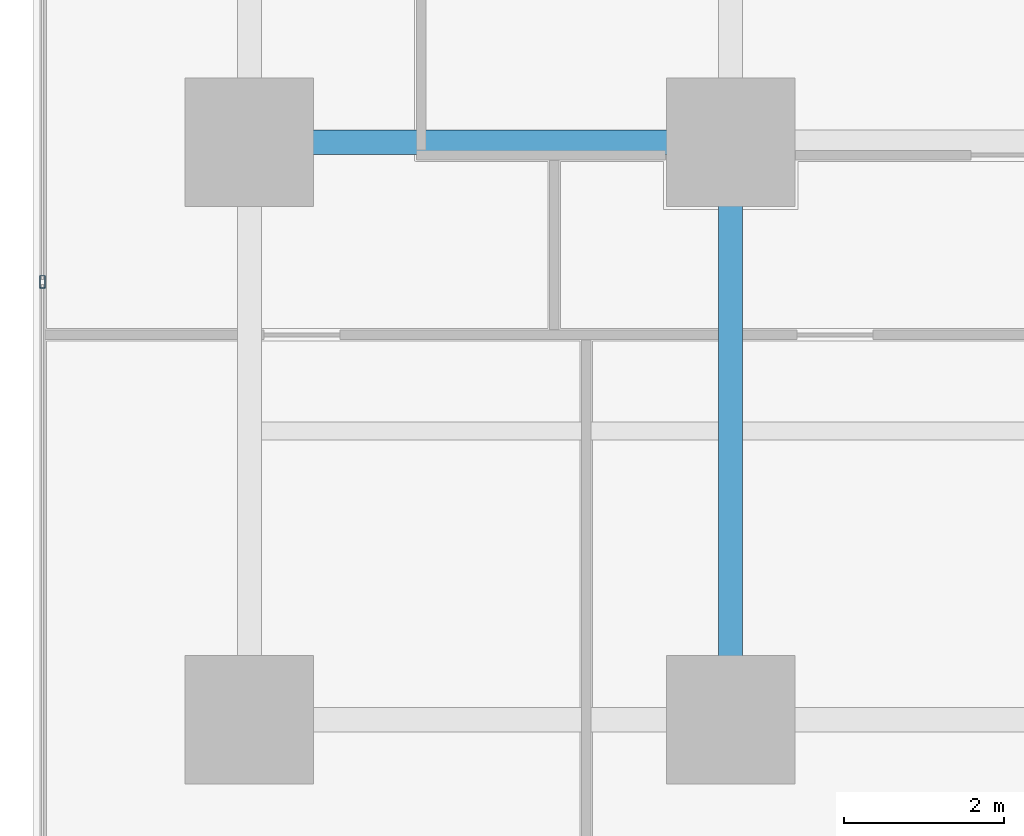
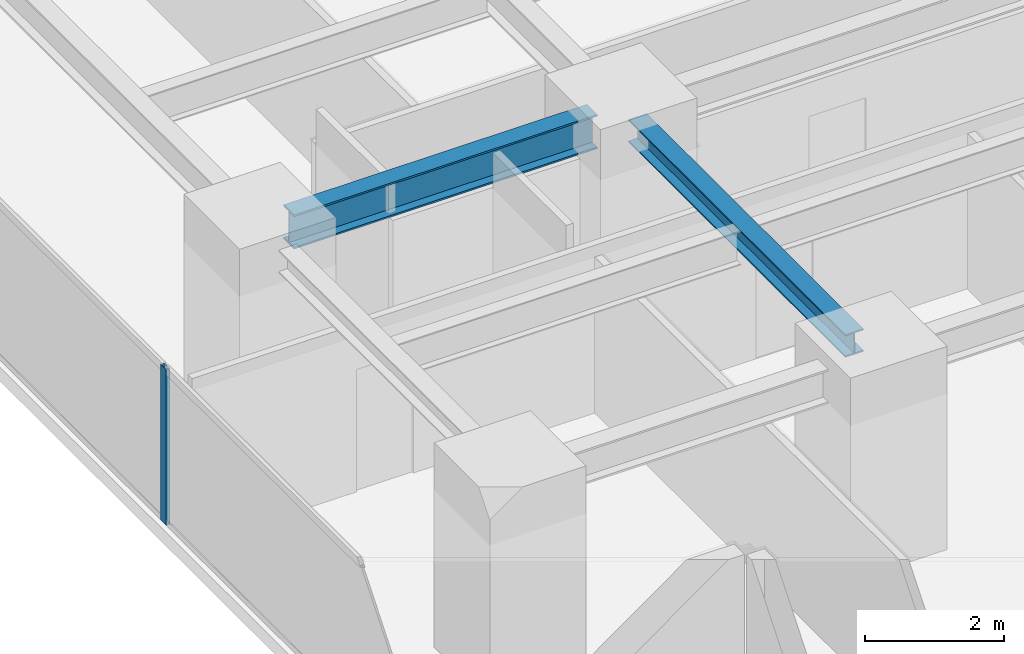
# One storey, part 4 of 36: 2 beams, 1 member, 1 element without a shape of its own.
"""IFC4 building model written with IfcOpenShell, lengths in metres."""

from ifc_helpers import new_model, si_unit, direction, frame, origin, origin_2d, place, context, subcontext, project, spatial, hollow_rectangle, i_section, extrude, source, transform, mapped, material, layer, layer_set, material_profile, profile_set, type_object, element, aggregate, save


model = new_model("IFC4")

# Units and contexts
model_context = context("Model", 3, precision=1e-05, world=origin(), true_north=direction((0.0, 1.0)))
body_context = subcontext(model_context, "Body", "Model", "MODEL_VIEW")
ifc_project = project(units=[si_unit("LENGTHUNIT", "METRE"), si_unit("AREAUNIT", "SQUARE_METRE"), si_unit("VOLUMEUNIT", "CUBIC_METRE"), si_unit("PLANEANGLEUNIT", "RADIAN"), si_unit("MASSUNIT", "GRAM", prefix="KILO")], contexts=[model_context])

# Site, building, storey
site_placement = place(None, origin())
site = spatial("IfcSite", under=ifc_project, at=site_placement, CompositionType="ELEMENT")
building_placement = place(site_placement, origin())
building = spatial("IfcBuilding", under=site, at=building_placement, Name="Sumidabori Civic Tower", CompositionType="ELEMENT")
storey_placement = place(building_placement, frame((0.0, 0.0, 84.800048828125)))
storey = spatial("IfcBuildingStorey", under=building, at=storey_placement, Name="L21", CompositionType="ELEMENT", Elevation=84.800048828125)

# Beams
ifc_material_1 = material(Name="Steel SN490", Category="steel")
ifc_material_profile_1 = material_profile(ifc_material_1, i_section(OverallWidth=0.300048828125, OverallDepth=0.60009765625, WebThickness=0.015380859375, FlangeThickness=0.030029296875, at=origin_2d()), Name="HE 600 B")
ifc_profile_set_1 = profile_set([ifc_material_profile_1], Name="Steel SN490")
beam_type_1 = type_object("IfcBeamType", Name="BM-GIRD-600", PredefinedType="BEAM", material=ifc_profile_set_1)
shared_shape_1 = source(origin(), body_context, "Body", "SweptSolid", [
    extrude(i_section(OverallWidth=0.300048828125, OverallDepth=0.60009765625, WebThickness=0.015380859375, FlangeThickness=0.030029296875, at=origin_2d()), origin(), (0.0, 0.0, 1.0), 5.0400390625),
])
beam_1_placement = place(storey_placement, frame((-22.320068359375, -10.800048828125, 3.06005859375), z_axis=(1.0, 0.0, 0.0), x_axis=(0.0, 1.0, 0.0)))
element("IfcBeam", 1, at=beam_1_placement, inside=storey, type_object=beam_type_1, Name="Primary Girder L21 GX-07", PredefinedType="BEAM", context=body_context, shape_type="MappedRepresentation", body=[
    mapped(shared_shape_1, transform((0.0, 0.0, 0.0), x_axis=(1.0, 0.0, 0.0), y_axis=(0.0, 1.0, 0.0), z_axis=(0.0, 0.0, 1.0), scale=1.0)),
])
ifc_material_profile_2 = material_profile(ifc_material_1, i_section(OverallWidth=0.300048828125, OverallDepth=0.39990234375, WebThickness=0.013427734375, FlangeThickness=0.02392578125, at=origin_2d()), Name="HE 400 B")
ifc_profile_set_2 = profile_set([ifc_material_profile_2], Name="Steel SN490")
beam_type_2 = type_object("IfcBeamType", Name="BM-GIRD-400", PredefinedType="BEAM", material=ifc_profile_set_2)
shared_shape_2 = source(origin(), body_context, "Body", "SweptSolid", [
    extrude(i_section(OverallWidth=0.300048828125, OverallDepth=0.39990234375, WebThickness=0.013427734375, FlangeThickness=0.02392578125, at=origin_2d()), origin(), (0.0, 0.0, 1.0), 6.239990234375),
])
beam_2_placement = place(storey_placement, frame((-16.800048828125, -17.52001953125, 3.159912109375), z_axis=(0.0, 1.0, 0.0), x_axis=(-1.0, 0.0, 0.0)))
element("IfcBeam", 2, at=beam_2_placement, inside=storey, type_object=beam_type_2, Name="Primary Girder L21 GY-25", PredefinedType="BEAM", context=body_context, shape_type="MappedRepresentation", body=[
    mapped(shared_shape_2, transform((0.0, 0.0, 0.0), x_axis=(1.0, 0.0, 0.0), y_axis=(0.0, 1.0, 0.0), z_axis=(0.0, 0.0, 1.0), scale=1.0)),
])

# Curtain wall, member
ifc_material_2 = material(Name="Anodised Bronze Aluminium AW-6063-T6", Category="aluminium")
ifc_layer = layer(ifc_material_2, 0.179931640625, Name="Anodised Bronze Aluminium AW-6063-T6")
ifc_layer_set = layer_set([ifc_layer], Name="Anodised Bronze Aluminium AW-6063-T6")
curtain_wall_type = type_object("IfcCurtainWallType", Name="CW-SYS-3", PredefinedType="NOTDEFINED", material=ifc_layer_set)
curtain_wall_placement = place(storey_placement, origin())
curtain_wall = element("IfcCurtainWall", 3, at=curtain_wall_placement, inside=storey, type_object=curtain_wall_type, Name="Curtain Wall CW:L21:R10", PredefinedType="NOTDEFINED")
ifc_material_profile_3 = material_profile(ifc_material_2, hollow_rectangle(XDim=0.06494140625, YDim=0.159912109375, WallThickness=0.0048828125, at=origin_2d()), Name="ALU MULLION 160x65")
ifc_profile_set_3 = profile_set([ifc_material_profile_3], Name="Anodised Bronze Aluminium AW-6063-T6")
member_type = type_object("IfcMemberType", Name="CW-MUL-160", PredefinedType="MULLION", material=ifc_profile_set_3)
shared_shape_3 = source(origin(), body_context, "Body", "SweptSolid", [
    extrude(hollow_rectangle(XDim=0.06494140625, YDim=0.159912109375, WallThickness=0.0048828125, at=origin_2d()), origin(), (0.0, 0.0, 1.0), 2.739990234375),
])
member_placement = place(storey_placement, frame((-25.3798828125, -12.5419921875, 0.0), z_axis=(0.0, 0.0, 1.0), x_axis=(1.0, 0.0, 0.0)))
member = element("IfcMember", 4, at=member_placement, type_object=member_type, Name="CW-3 mullion 5", PredefinedType="MULLION", context=body_context, shape_type="MappedRepresentation", body=[
    mapped(shared_shape_3, transform((0.0, 0.0, 0.0), x_axis=(1.0, 0.0, 0.0), y_axis=(0.0, 1.0, 0.0), z_axis=(0.0, 0.0, 1.0), scale=1.0)),
])
aggregate(curtain_wall, [member])

save(model, "model.ifc")
